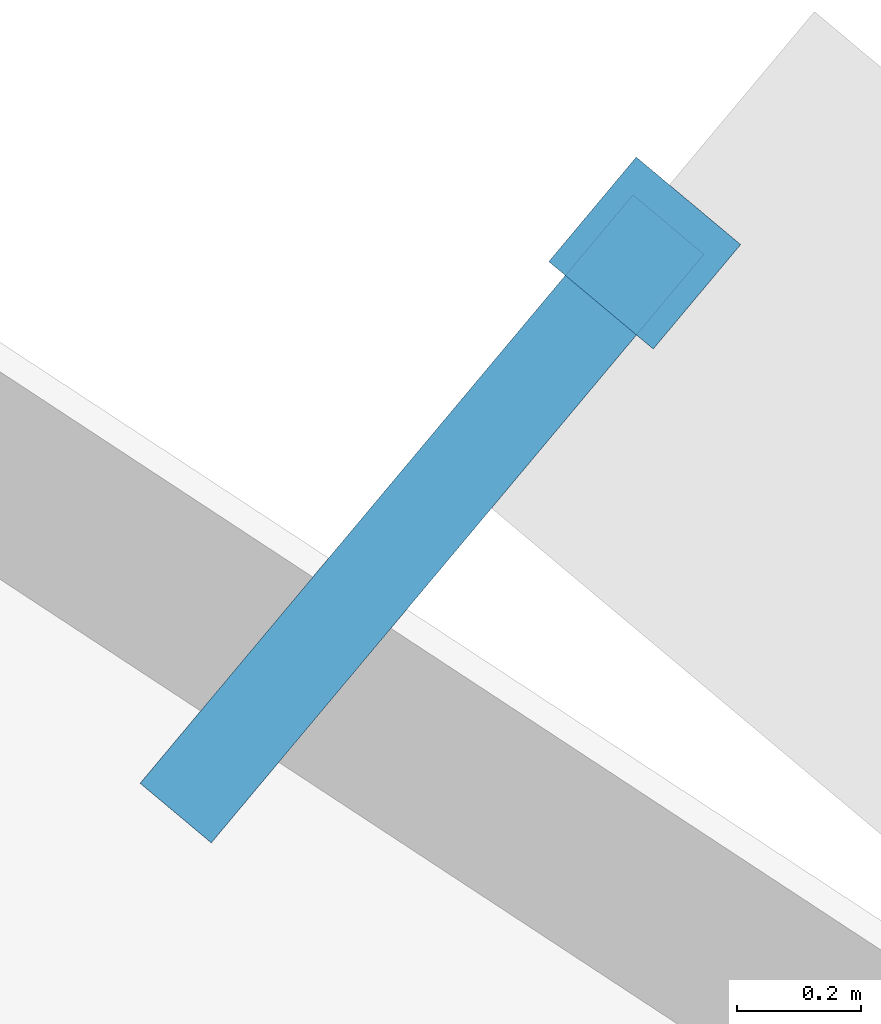
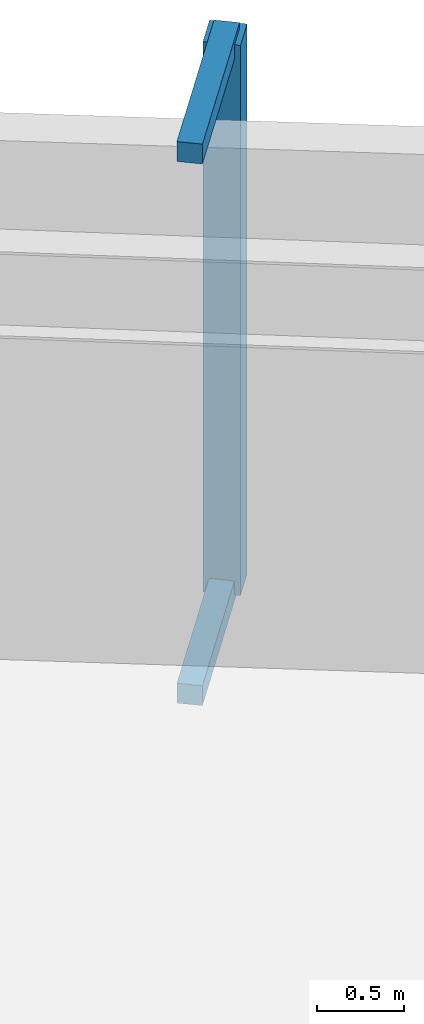
# One storey, part 11 of 13: 3 discrete accessories.
"""IFC4 building model written with IfcOpenShell, lengths in metres."""

from ifc_helpers import new_model, si_unit, direction, frame, origin, origin_2d, place, context, subcontext, project, spatial, rectangle, extrude, source, transform, mapped, material, type_object, type_shapes, element, save


model = new_model("IFC4")

# Units and contexts
model_context = context("Model", 3, precision=1e-05, world=origin(), true_north=direction((0.0, 1.0)))
body_context = subcontext(model_context, "Body", "Model", "MODEL_VIEW")
ifc_project = project(units=[si_unit("LENGTHUNIT", "METRE"), si_unit("AREAUNIT", "SQUARE_METRE"), si_unit("VOLUMEUNIT", "CUBIC_METRE"), si_unit("PLANEANGLEUNIT", "RADIAN"), si_unit("MASSUNIT", "GRAM", prefix="KILO")], contexts=[model_context])

# Site, building, storey
site_placement = place(None, origin())
site = spatial("IfcSite", under=ifc_project, at=site_placement, CompositionType="ELEMENT")
building_placement = place(site_placement, origin())
building = spatial("IfcBuilding", under=site, at=building_placement, Name="Breltana Convention Tower", CompositionType="ELEMENT")
storey_placement = place(building_placement, frame((0.0, 0.0, 162.300048828125)))
storey = spatial("IfcBuildingStorey", under=building, at=storey_placement, Name="L39", CompositionType="ELEMENT", Elevation=162.300048828125)

# Discrete accessories
ifc_material = material(Name="Steel S355", Category="steel")
discrete_accessory_type_1 = type_object("IfcDiscreteAccessoryType", Name="ACC-DSF-BRACKET-150", PredefinedType="BRACKET", material=ifc_material)
shared_shape_1 = source(origin(), body_context, "Body", "SweptSolid", [
    extrude(rectangle(XDim=1.239990234375, YDim=0.14990234375, at=origin_2d()), origin(), (0.0, 0.0, 1.0), 0.139892578125),
])
type_shapes(discrete_accessory_type_1, [shared_shape_1])
for number, where, z_axis, x_axis, name in (
    (1, (66.019287109375, 72.327880859375, -0.16015625), (0.0, 0.0, 1.0), (0.641989340657, 0.766713562214, 0.0), "L39 double-skin slab stand-off bracket 2.1B"),
    (2, (66.019287109375, 72.327880859375, 3.64990234375), (0.0, 0.0, 1.0), (0.641989340657, 0.766713562214, 0.0), "L39 double-skin slab stand-off bracket 2.1T"),
):
    element("IfcDiscreteAccessory", number, at=place(storey_placement, frame(where, z_axis=z_axis, x_axis=x_axis)), inside=storey, type_object=discrete_accessory_type_1, Name=name, PredefinedType="BRACKET", context=body_context, shape_type="MappedRepresentation", body=[
        mapped(shared_shape_1, transform((0.0, 0.0, 0.0), scale=1.0)),
    ])
discrete_accessory_type_2 = type_object("IfcDiscreteAccessoryType", Name="ACC-DSF-CARRIER-150", PredefinedType="BRACKET", material=ifc_material)
shared_shape_2 = source(origin(), body_context, "Body", "SweptSolid", [
    extrude(rectangle(XDim=0.219970703125, YDim=0.219970703125, at=origin_2d()), origin(), (0.0, 0.0, 1.0), 3.8701171875),
])
discrete_accessory_placement = place(storey_placement, frame((66.37890625, 72.757080078125, -0.1201171875), z_axis=(0.0, 0.0, 1.0), x_axis=(0.641989340657, 0.766713562214, 0.0)))
element("IfcDiscreteAccessory", 3, at=discrete_accessory_placement, inside=storey, type_object=discrete_accessory_type_2, Name="L39 double-skin outer vertical carrier 2.1", PredefinedType="BRACKET", context=body_context, shape_type="MappedRepresentation", body=[
    mapped(shared_shape_2, transform((0.0, 0.0, 0.0), scale=1.0)),
])

save(model, "model.ifc")
